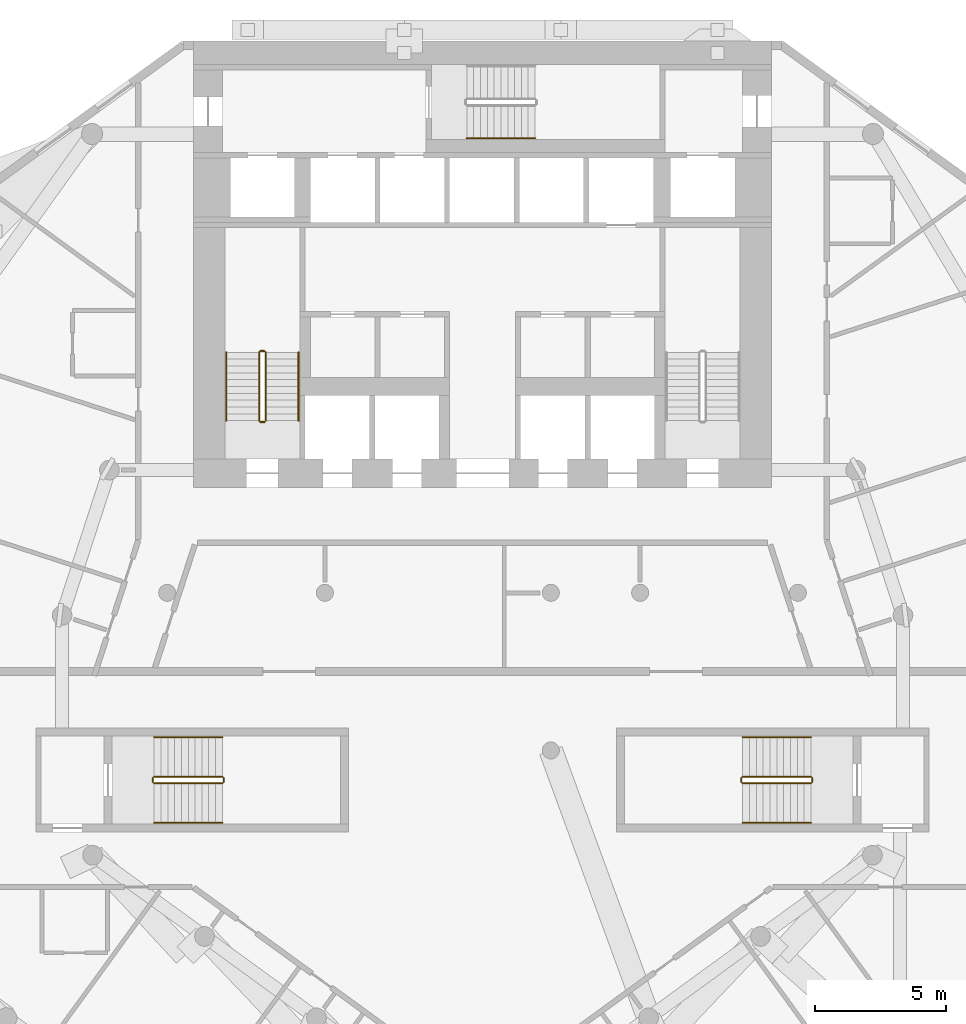
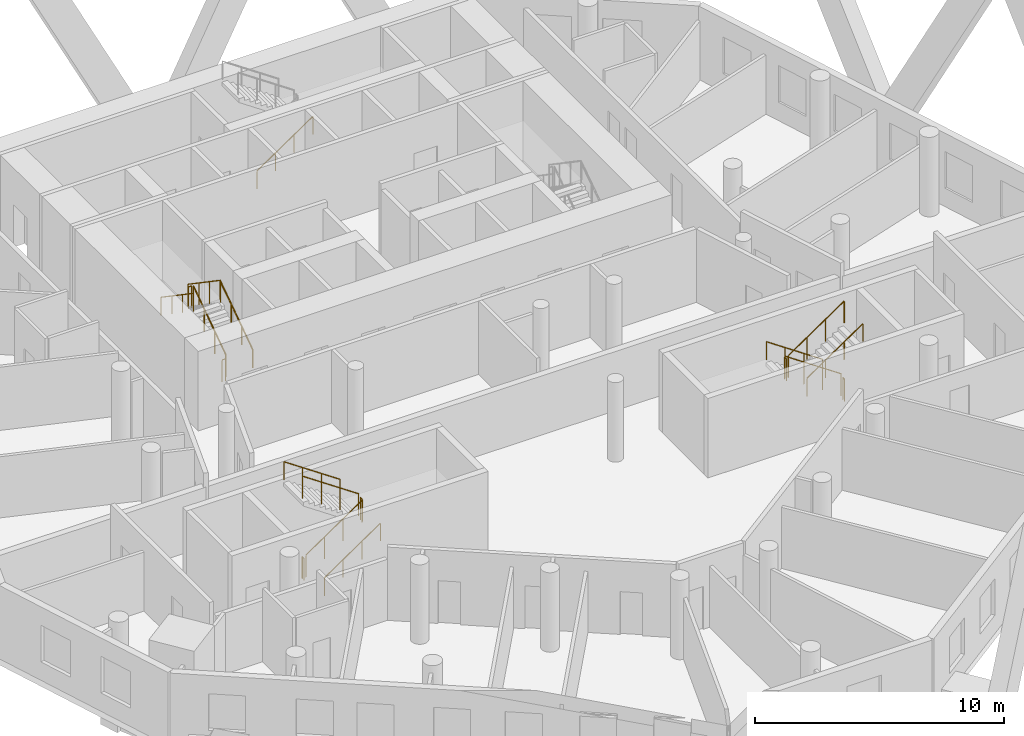
# One storey, part 10 of 11: 19 railings.
"""IFC4 building model written with IfcOpenShell, lengths in metres."""

from ifc_helpers import new_model, si_unit, direction, frame, origin, origin_2d, place, context, subcontext, project, spatial, circle, extrude, material, type_object, element, save


model = new_model("IFC4")

# Units and contexts
model_context = context("Model", 3, precision=1e-05, world=origin(), true_north=direction((0.0, 1.0)))
body_context = subcontext(model_context, "Body", "Model", "MODEL_VIEW")
ifc_project = project(units=[si_unit("LENGTHUNIT", "METRE"), si_unit("AREAUNIT", "SQUARE_METRE"), si_unit("VOLUMEUNIT", "CUBIC_METRE"), si_unit("PLANEANGLEUNIT", "RADIAN"), si_unit("MASSUNIT", "GRAM", prefix="KILO")], contexts=[model_context])

# Site, building, storey
site_placement = place(None, origin())
site = spatial("IfcSite", under=ifc_project, at=site_placement, CompositionType="ELEMENT")
building_placement = place(site_placement, origin())
building = spatial("IfcBuilding", under=site, at=building_placement, Name="White Candle Pilgrim Tower", CompositionType="ELEMENT")
storey_placement = place(building_placement, frame((0.0, 0.0, 90.800048828125)))
storey = spatial("IfcBuildingStorey", under=building, at=storey_placement, Name="L19", CompositionType="ELEMENT", Elevation=90.800048828125)

# Railings
ifc_material = material(Name="Stainless steel", Category="steel")
railing_type_1 = type_object("IfcRailingType", Name="Stair guard stainless steel 1100 mm", PredefinedType="GUARDRAIL", material=ifc_material)
railing_1_placement = place(storey_placement, frame((61.75, 73.550048828125, 0.17724609375)))
element("IfcRailing", 1, at=railing_1_placement, inside=storey, type_object=railing_type_1, Name="L19 ST1 stair guard 1", PredefinedType="GUARDRAIL", context=body_context, shape_type="SweptSolid", body=[
    extrude(circle(Radius=0.02392578125, at=origin_2d()), frame((0.0, 0.0, 1.076171875), z_axis=(0.0, 0.826215852431, 0.563353676824), x_axis=(-1.0, 0.0, 0.0)), (0.0, 0.0, 1.0), 3.146728515625),
    extrude(circle(Radius=0.02099609375, at=origin_2d()), origin(), (0.0, 0.0, 1.0), 1.052001953125),
    extrude(circle(Radius=0.02099609375, at=origin_2d()), frame((0.0, 0.86669921875, 0.5908203125)), (0.0, 0.0, 1.0), 1.052001953125),
    extrude(circle(Radius=0.02099609375, at=origin_2d()), frame((0.0, 1.733154296875, 1.181884765625)), (0.0, 0.0, 1.0), 1.052001953125),
    extrude(circle(Radius=0.02099609375, at=origin_2d()), frame((0.0, 2.599853515625, 1.772705078125)), (0.0, 0.0, 1.0), 1.052001953125),
])
railing_2_placement = place(storey_placement, frame((61.699951171875, 76.199951171875, 1.949951171875)))
element("IfcRailing", 2, at=railing_2_placement, inside=storey, type_object=railing_type_1, Name="L19 ST1 stair guard 2", PredefinedType="GUARDRAIL", context=body_context, shape_type="SweptSolid", body=[
    extrude(circle(Radius=0.02392578125, at=origin_2d()), frame((0.0, 0.0, 1.076171875), z_axis=(-1.0, 0.0, 0.0), x_axis=(0.0, -1.0, 0.0)), (0.0, 0.0, 1.0), 0.14990234375),
    extrude(circle(Radius=0.02099609375, at=origin_2d()), origin(), (0.0, 0.0, 1.0), 1.052001953125),
    extrude(circle(Radius=0.02099609375, at=origin_2d()), frame((-0.14990234375, 0.0, 0.0)), (0.0, 0.0, 1.0), 1.052001953125),
])
railing_3_placement = place(storey_placement, frame((61.5, 76.14990234375, 2.127197265625)))
element("IfcRailing", 3, at=railing_3_placement, inside=storey, type_object=railing_type_1, Name="L19 ST1 stair guard 3", PredefinedType="GUARDRAIL", context=body_context, shape_type="SweptSolid", body=[
    extrude(circle(Radius=0.02392578125, at=origin_2d()), frame((0.0, 0.0, 1.076171875), z_axis=(0.0, -0.826215852431, 0.563353676824), x_axis=(1.0, 0.0, 0.0)), (0.0, 0.0, 1.0), 3.146728515625),
    extrude(circle(Radius=0.02099609375, at=origin_2d()), origin(), (0.0, 0.0, 1.0), 1.052001953125),
    extrude(circle(Radius=0.02099609375, at=origin_2d()), frame((0.0, -0.86669921875, 0.5908203125)), (0.0, 0.0, 1.0), 1.052001953125),
    extrude(circle(Radius=0.02099609375, at=origin_2d()), frame((0.0, -1.733154296875, 1.181884765625)), (0.0, 0.0, 1.0), 1.052001953125),
    extrude(circle(Radius=0.02099609375, at=origin_2d()), frame((0.0, -2.599853515625, 1.772705078125)), (0.0, 0.0, 1.0), 1.052001953125),
])
railing_4_placement = place(storey_placement, frame((61.699951171875, 73.5, 0.0)))
element("IfcRailing", 4, at=railing_4_placement, inside=storey, type_object=railing_type_1, Name="L19 ST1 stair guard 4", PredefinedType="GUARDRAIL", context=body_context, shape_type="SweptSolid", body=[
    extrude(circle(Radius=0.02392578125, at=origin_2d()), frame((0.0, 0.0, 1.076171875), z_axis=(-1.0, 0.0, 0.0), x_axis=(0.0, -1.0, 0.0)), (0.0, 0.0, 1.0), 0.14990234375),
    extrude(circle(Radius=0.02099609375, at=origin_2d()), origin(), (0.0, 0.0, 1.0), 1.052001953125),
    extrude(circle(Radius=0.02099609375, at=origin_2d()), frame((-0.14990234375, 0.0, 0.0)), (0.0, 0.0, 1.0), 1.052001953125),
])
railing_5_placement = place(storey_placement, frame((82.5, 60.0, 0.17724609375)))
element("IfcRailing", 5, at=railing_5_placement, inside=storey, type_object=railing_type_1, Name="L19 ST4 stair guard 1", PredefinedType="GUARDRAIL", context=body_context, shape_type="SweptSolid", body=[
    extrude(circle(Radius=0.02392578125, at=origin_2d()), frame((0.0, 0.0, 1.076171875), z_axis=(-0.826240473404, 0.0, 0.563317565952), x_axis=(0.0, -1.0, 0.0)), (0.0, 0.0, 1.0), 3.14697265625),
    extrude(circle(Radius=0.02099609375, at=origin_2d()), origin(), (0.0, 0.0, 1.0), 1.052001953125),
    extrude(circle(Radius=0.02099609375, at=origin_2d()), frame((-0.86669921875, 0.0, 0.5908203125)), (0.0, 0.0, 1.0), 1.052001953125),
    extrude(circle(Radius=0.02099609375, at=origin_2d()), frame((-1.7333984375, 0.0, 1.181884765625)), (0.0, 0.0, 1.0), 1.052001953125),
    extrude(circle(Radius=0.02099609375, at=origin_2d()), frame((-2.60009765625, 0.0, 1.772705078125)), (0.0, 0.0, 1.0), 1.052001953125),
])
railing_6_placement = place(storey_placement, frame((79.85009765625, 59.949951171875, 1.949951171875)))
element("IfcRailing", 6, at=railing_6_placement, inside=storey, type_object=railing_type_1, Name="L19 ST4 stair guard 2", PredefinedType="GUARDRAIL", context=body_context, shape_type="SweptSolid", body=[
    extrude(circle(Radius=0.02392578125, at=origin_2d()), frame((0.0, 0.0, 1.076171875), z_axis=(0.0, -1.0, 0.0), x_axis=(1.0, 0.0, 0.0)), (0.0, 0.0, 1.0), 0.14990234375),
    extrude(circle(Radius=0.02099609375, at=origin_2d()), origin(), (0.0, 0.0, 1.0), 1.052001953125),
    extrude(circle(Radius=0.02099609375, at=origin_2d()), frame((0.0, -0.14990234375, 0.0)), (0.0, 0.0, 1.0), 1.052001953125),
])
railing_7_placement = place(storey_placement, frame((79.89990234375, 59.75, 2.127197265625)))
element("IfcRailing", 7, at=railing_7_placement, inside=storey, type_object=railing_type_1, Name="L19 ST4 stair guard 3", PredefinedType="GUARDRAIL", context=body_context, shape_type="SweptSolid", body=[
    extrude(circle(Radius=0.02392578125, at=origin_2d()), frame((0.0, 0.0, 1.076171875), z_axis=(0.826240473404, 0.0, 0.563317565952), x_axis=(0.0, 1.0, 0.0)), (0.0, 0.0, 1.0), 3.14697265625),
    extrude(circle(Radius=0.02099609375, at=origin_2d()), origin(), (0.0, 0.0, 1.0), 1.052001953125),
    extrude(circle(Radius=0.02099609375, at=origin_2d()), frame((0.86669921875, 0.0, 0.5908203125)), (0.0, 0.0, 1.0), 1.052001953125),
    extrude(circle(Radius=0.02099609375, at=origin_2d()), frame((1.7333984375, 0.0, 1.181884765625)), (0.0, 0.0, 1.0), 1.052001953125),
    extrude(circle(Radius=0.02099609375, at=origin_2d()), frame((2.60009765625, 0.0, 1.772705078125)), (0.0, 0.0, 1.0), 1.052001953125),
])
railing_8_placement = place(storey_placement, frame((82.550048828125, 59.949951171875, 0.0)))
element("IfcRailing", 8, at=railing_8_placement, inside=storey, type_object=railing_type_1, Name="L19 ST4 stair guard 4", PredefinedType="GUARDRAIL", context=body_context, shape_type="SweptSolid", body=[
    extrude(circle(Radius=0.02392578125, at=origin_2d()), frame((0.0, 0.0, 1.076171875), z_axis=(0.0, -1.0, 0.0), x_axis=(1.0, 0.0, 0.0)), (0.0, 0.0, 1.0), 0.14990234375),
    extrude(circle(Radius=0.02099609375, at=origin_2d()), origin(), (0.0, 0.0, 1.0), 1.052001953125),
    extrude(circle(Radius=0.02099609375, at=origin_2d()), frame((0.0, -0.14990234375, 0.0)), (0.0, 0.0, 1.0), 1.052001953125),
])
railing_9_placement = place(storey_placement, frame((57.5, 59.75, 0.17724609375)))
element("IfcRailing", 9, at=railing_9_placement, inside=storey, type_object=railing_type_1, Name="L19 ST5 stair guard 1", PredefinedType="GUARDRAIL", context=body_context, shape_type="SweptSolid", body=[
    extrude(circle(Radius=0.02392578125, at=origin_2d()), frame((0.0, 0.0, 1.076171875), z_axis=(0.826240473404, 0.0, 0.563317565952), x_axis=(0.0, 1.0, 0.0)), (0.0, 0.0, 1.0), 3.14697265625),
    extrude(circle(Radius=0.02099609375, at=origin_2d()), origin(), (0.0, 0.0, 1.0), 1.052001953125),
    extrude(circle(Radius=0.02099609375, at=origin_2d()), frame((0.86669921875, 0.0, 0.5908203125)), (0.0, 0.0, 1.0), 1.052001953125),
    extrude(circle(Radius=0.02099609375, at=origin_2d()), frame((1.7333984375, 0.0, 1.181884765625)), (0.0, 0.0, 1.0), 1.052001953125),
    extrude(circle(Radius=0.02099609375, at=origin_2d()), frame((2.60009765625, 0.0, 1.772705078125)), (0.0, 0.0, 1.0), 1.052001953125),
])
railing_10_placement = place(storey_placement, frame((60.14990234375, 59.800048828125, 1.949951171875)))
element("IfcRailing", 10, at=railing_10_placement, inside=storey, type_object=railing_type_1, Name="L19 ST5 stair guard 2", PredefinedType="GUARDRAIL", context=body_context, shape_type="SweptSolid", body=[
    extrude(circle(Radius=0.02392578125, at=origin_2d()), frame((0.0, 0.0, 1.076171875), z_axis=(0.0, 1.0, 0.0), x_axis=(-1.0, 0.0, 0.0)), (0.0, 0.0, 1.0), 0.14990234375),
    extrude(circle(Radius=0.02099609375, at=origin_2d()), origin(), (0.0, 0.0, 1.0), 1.052001953125),
    extrude(circle(Radius=0.02099609375, at=origin_2d()), frame((0.0, 0.14990234375, 0.0)), (0.0, 0.0, 1.0), 1.052001953125),
])
railing_11_placement = place(storey_placement, frame((60.10009765625, 60.0, 2.127197265625)))
element("IfcRailing", 11, at=railing_11_placement, inside=storey, type_object=railing_type_1, Name="L19 ST5 stair guard 3", PredefinedType="GUARDRAIL", context=body_context, shape_type="SweptSolid", body=[
    extrude(circle(Radius=0.02392578125, at=origin_2d()), frame((0.0, 0.0, 1.076171875), z_axis=(-0.826240473404, 0.0, 0.563317565952), x_axis=(0.0, -1.0, 0.0)), (0.0, 0.0, 1.0), 3.14697265625),
    extrude(circle(Radius=0.02099609375, at=origin_2d()), origin(), (0.0, 0.0, 1.0), 1.052001953125),
    extrude(circle(Radius=0.02099609375, at=origin_2d()), frame((-0.86669921875, 0.0, 0.5908203125)), (0.0, 0.0, 1.0), 1.052001953125),
    extrude(circle(Radius=0.02099609375, at=origin_2d()), frame((-1.7333984375, 0.0, 1.181884765625)), (0.0, 0.0, 1.0), 1.052001953125),
    extrude(circle(Radius=0.02099609375, at=origin_2d()), frame((-2.60009765625, 0.0, 1.772705078125)), (0.0, 0.0, 1.0), 1.052001953125),
])
railing_12_placement = place(storey_placement, frame((57.449951171875, 59.800048828125, 0.0)))
element("IfcRailing", 12, at=railing_12_placement, inside=storey, type_object=railing_type_1, Name="L19 ST5 stair guard 4", PredefinedType="GUARDRAIL", context=body_context, shape_type="SweptSolid", body=[
    extrude(circle(Radius=0.02392578125, at=origin_2d()), frame((0.0, 0.0, 1.076171875), z_axis=(0.0, 1.0, 0.0), x_axis=(-1.0, 0.0, 0.0)), (0.0, 0.0, 1.0), 0.14990234375),
    extrude(circle(Radius=0.02099609375, at=origin_2d()), origin(), (0.0, 0.0, 1.0), 1.052001953125),
    extrude(circle(Radius=0.02099609375, at=origin_2d()), frame((0.0, 0.14990234375, 0.0)), (0.0, 0.0, 1.0), 1.052001953125),
])
railing_type_2 = type_object("IfcRailingType", Name="Stair handrail stainless steel", PredefinedType="HANDRAIL", material=ifc_material)
railing_13_placement = place(storey_placement, frame((63.0, 73.550048828125, 0.17724609375)))
element("IfcRailing", 13, at=railing_13_placement, inside=storey, type_object=railing_type_2, Name="L19 ST1 stair handrail 1", PredefinedType="HANDRAIL", context=body_context, shape_type="SweptSolid", body=[
    extrude(circle(Radius=0.02392578125, at=origin_2d()), frame((0.0, 0.0, 0.8759765625), z_axis=(0.0, 0.826215852431, 0.563353676824), x_axis=(-1.0, 0.0, 0.0)), (0.0, 0.0, 1.0), 3.146728515625),
    extrude(circle(Radius=0.02099609375, at=origin_2d()), origin(), (0.0, 0.0, 1.0), 0.851806640625),
    extrude(circle(Radius=0.02099609375, at=origin_2d()), frame((0.0, 0.86669921875, 0.5908203125)), (0.0, 0.0, 1.0), 0.851806640625),
    extrude(circle(Radius=0.02099609375, at=origin_2d()), frame((0.0, 1.733154296875, 1.181884765625)), (0.0, 0.0, 1.0), 0.851806640625),
    extrude(circle(Radius=0.02099609375, at=origin_2d()), frame((0.0, 2.599853515625, 1.772705078125)), (0.0, 0.0, 1.0), 0.851806640625),
])
railing_14_placement = place(storey_placement, frame((60.25, 76.14990234375, 2.127197265625)))
element("IfcRailing", 14, at=railing_14_placement, inside=storey, type_object=railing_type_2, Name="L19 ST1 stair handrail 2", PredefinedType="HANDRAIL", context=body_context, shape_type="SweptSolid", body=[
    extrude(circle(Radius=0.02392578125, at=origin_2d()), frame((0.0, 0.0, 0.8759765625), z_axis=(0.0, -0.826215852431, 0.563353676824), x_axis=(1.0, 0.0, 0.0)), (0.0, 0.0, 1.0), 3.146728515625),
    extrude(circle(Radius=0.02099609375, at=origin_2d()), origin(), (0.0, 0.0, 1.0), 0.851806640625),
    extrude(circle(Radius=0.02099609375, at=origin_2d()), frame((0.0, -0.86669921875, 0.5908203125)), (0.0, 0.0, 1.0), 0.851806640625),
    extrude(circle(Radius=0.02099609375, at=origin_2d()), frame((0.0, -1.733154296875, 1.181884765625)), (0.0, 0.0, 1.0), 0.851806640625),
    extrude(circle(Radius=0.02099609375, at=origin_2d()), frame((0.0, -2.599853515625, 1.772705078125)), (0.0, 0.0, 1.0), 0.851806640625),
])
railing_15_placement = place(storey_placement, frame((69.39990234375, 84.300048828125, 0.17724609375)))
element("IfcRailing", 15, at=railing_15_placement, inside=storey, type_object=railing_type_2, Name="L19 ST3 stair handrail 1", PredefinedType="HANDRAIL", context=body_context, shape_type="SweptSolid", body=[
    extrude(circle(Radius=0.02392578125, at=origin_2d()), frame((0.0, 0.0, 0.8759765625), z_axis=(0.826240473404, 0.0, 0.563317565952), x_axis=(0.0, 1.0, 0.0)), (0.0, 0.0, 1.0), 3.14697265625),
    extrude(circle(Radius=0.02099609375, at=origin_2d()), origin(), (0.0, 0.0, 1.0), 0.851806640625),
    extrude(circle(Radius=0.02099609375, at=origin_2d()), frame((0.86669921875, 0.0, 0.5908203125)), (0.0, 0.0, 1.0), 0.851806640625),
    extrude(circle(Radius=0.02099609375, at=origin_2d()), frame((1.7333984375, 0.0, 1.181884765625)), (0.0, 0.0, 1.0), 0.851806640625),
    extrude(circle(Radius=0.02099609375, at=origin_2d()), frame((2.60009765625, 0.0, 1.772705078125)), (0.0, 0.0, 1.0), 0.851806640625),
])
railing_16_placement = place(storey_placement, frame((82.5, 61.5, 0.17724609375)))
element("IfcRailing", 16, at=railing_16_placement, inside=storey, type_object=railing_type_2, Name="L19 ST4 stair handrail 1", PredefinedType="HANDRAIL", context=body_context, shape_type="SweptSolid", body=[
    extrude(circle(Radius=0.02392578125, at=origin_2d()), frame((0.0, 0.0, 0.8759765625), z_axis=(-0.826240473404, 0.0, 0.563317565952), x_axis=(0.0, -1.0, 0.0)), (0.0, 0.0, 1.0), 3.14697265625),
    extrude(circle(Radius=0.02099609375, at=origin_2d()), origin(), (0.0, 0.0, 1.0), 0.851806640625),
    extrude(circle(Radius=0.02099609375, at=origin_2d()), frame((-0.86669921875, 0.0, 0.5908203125)), (0.0, 0.0, 1.0), 0.851806640625),
    extrude(circle(Radius=0.02099609375, at=origin_2d()), frame((-1.7333984375, 0.0, 1.181884765625)), (0.0, 0.0, 1.0), 0.851806640625),
    extrude(circle(Radius=0.02099609375, at=origin_2d()), frame((-2.60009765625, 0.0, 1.772705078125)), (0.0, 0.0, 1.0), 0.851806640625),
])
for number, where, name in (
    (17, (79.89990234375, 58.25, 2.127197265625), "L19 ST4 stair handrail 2"),
    (18, (57.5, 58.25, 0.17724609375), "L19 ST5 stair handrail 1"),
):
    element("IfcRailing", number, at=place(storey_placement, frame(where)), inside=storey, type_object=railing_type_2, Name=name, PredefinedType="HANDRAIL", context=body_context, shape_type="SweptSolid", body=[
        extrude(circle(Radius=0.02392578125, at=origin_2d()), frame((0.0, 0.0, 0.8759765625), z_axis=(0.826240473404, 0.0, 0.563317565952), x_axis=(0.0, 1.0, 0.0)), (0.0, 0.0, 1.0), 3.14697265625),
        extrude(circle(Radius=0.02099609375, at=origin_2d()), origin(), (0.0, 0.0, 1.0), 0.851806640625),
        extrude(circle(Radius=0.02099609375, at=origin_2d()), frame((0.86669921875, 0.0, 0.5908203125)), (0.0, 0.0, 1.0), 0.851806640625),
        extrude(circle(Radius=0.02099609375, at=origin_2d()), frame((1.7333984375, 0.0, 1.181884765625)), (0.0, 0.0, 1.0), 0.851806640625),
        extrude(circle(Radius=0.02099609375, at=origin_2d()), frame((2.60009765625, 0.0, 1.772705078125)), (0.0, 0.0, 1.0), 0.851806640625),
    ])
railing_17_placement = place(storey_placement, frame((60.10009765625, 61.5, 2.127197265625)))
element("IfcRailing", 19, at=railing_17_placement, inside=storey, type_object=railing_type_2, Name="L19 ST5 stair handrail 2", PredefinedType="HANDRAIL", context=body_context, shape_type="SweptSolid", body=[
    extrude(circle(Radius=0.02392578125, at=origin_2d()), frame((0.0, 0.0, 0.8759765625), z_axis=(-0.826240473404, 0.0, 0.563317565952), x_axis=(0.0, -1.0, 0.0)), (0.0, 0.0, 1.0), 3.14697265625),
    extrude(circle(Radius=0.02099609375, at=origin_2d()), origin(), (0.0, 0.0, 1.0), 0.851806640625),
    extrude(circle(Radius=0.02099609375, at=origin_2d()), frame((-0.86669921875, 0.0, 0.5908203125)), (0.0, 0.0, 1.0), 0.851806640625),
    extrude(circle(Radius=0.02099609375, at=origin_2d()), frame((-1.7333984375, 0.0, 1.181884765625)), (0.0, 0.0, 1.0), 0.851806640625),
    extrude(circle(Radius=0.02099609375, at=origin_2d()), frame((-2.60009765625, 0.0, 1.772705078125)), (0.0, 0.0, 1.0), 0.851806640625),
])

save(model, "model.ifc")
